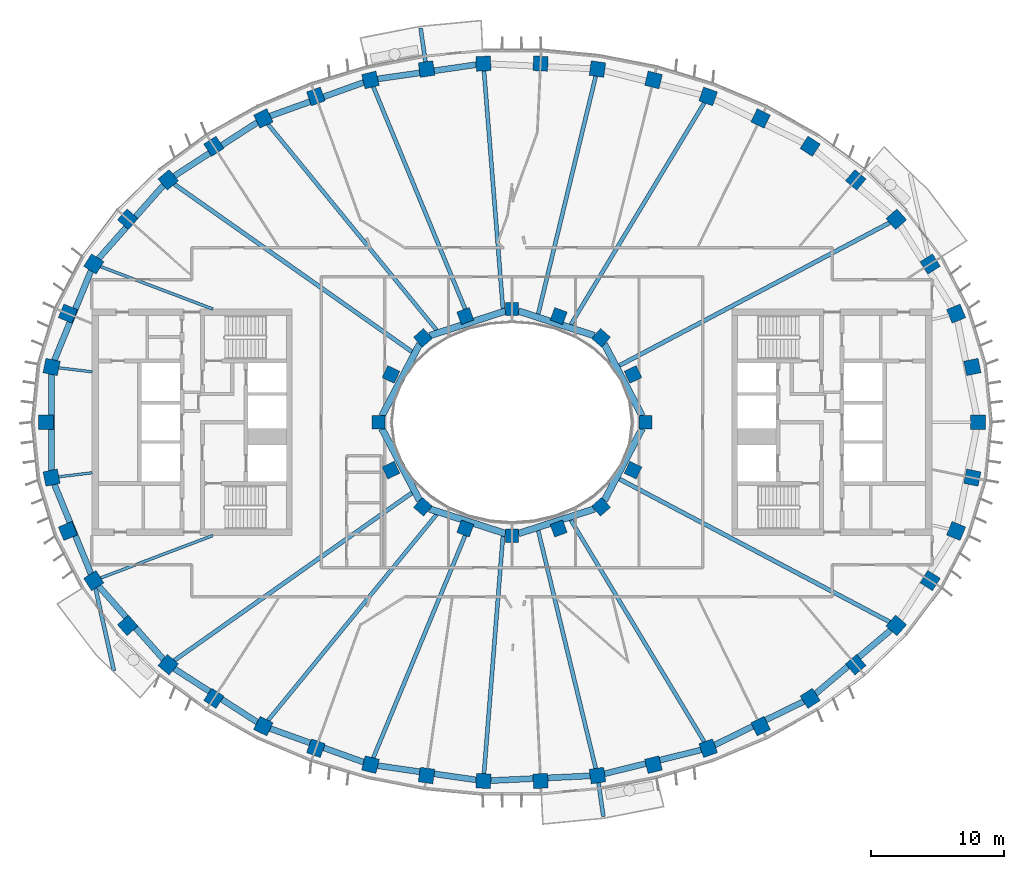
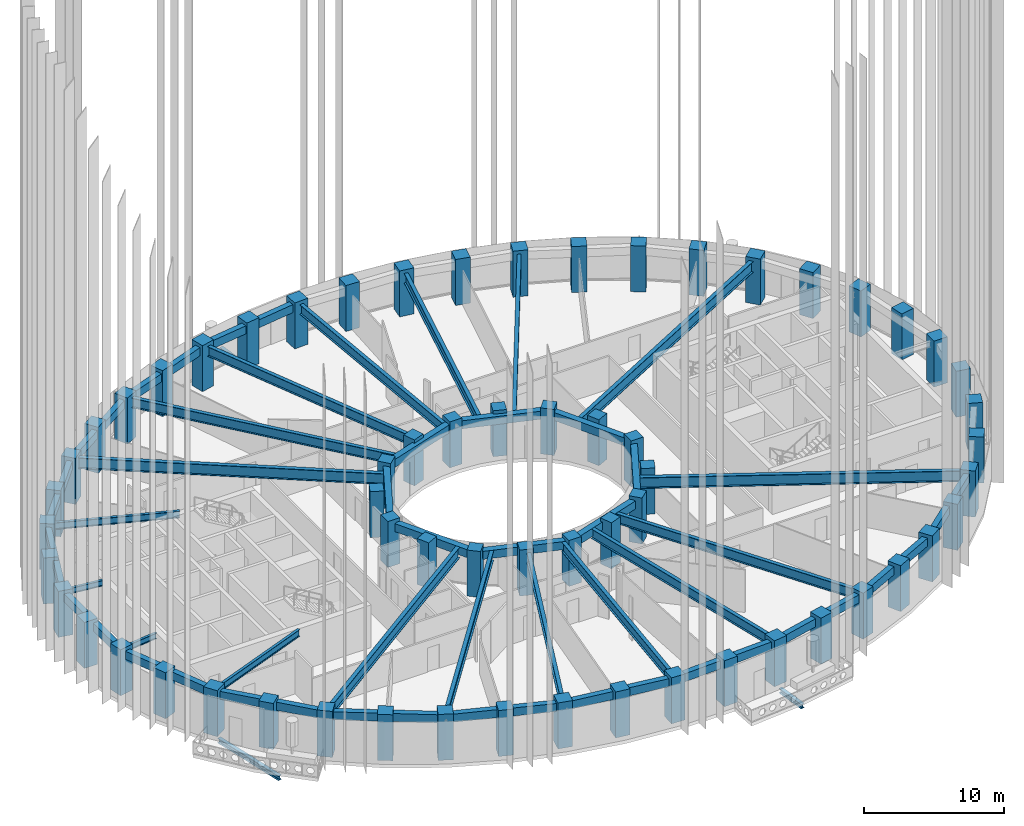
# One storey, part 1 of 19: 62 columns, 44 beams.
"""IFC4 building model written with IfcOpenShell, lengths in metres."""

from ifc_helpers import new_model, si_unit, direction, frame, origin, origin_2d, place, context, subcontext, project, spatial, rectangle, i_section, extrude, material, material_profile, profile_set, type_object, element, save


model = new_model("IFC4")

# Units and contexts
model_context = context("Model", 3, precision=1e-05, world=origin(), true_north=direction((0.0, 1.0)))
body_context = subcontext(model_context, "Body", "Model", "MODEL_VIEW")
ifc_project = project(units=[si_unit("LENGTHUNIT", "METRE"), si_unit("AREAUNIT", "SQUARE_METRE"), si_unit("VOLUMEUNIT", "CUBIC_METRE"), si_unit("PLANEANGLEUNIT", "RADIAN"), si_unit("MASSUNIT", "GRAM", prefix="KILO")], contexts=[model_context])

# Site, building, storey
site_placement = place(None, origin())
site = spatial("IfcSite", under=ifc_project, at=site_placement, CompositionType="ELEMENT")
building_placement = place(site_placement, origin())
building = spatial("IfcBuilding", under=site, at=building_placement, Name="Noorbagh Ring Tower", CompositionType="ELEMENT")
storey_placement = place(building_placement, frame((0.0, 0.0, 233.5)))
storey = spatial("IfcBuildingStorey", under=building, at=storey_placement, Name="L48", CompositionType="ELEMENT", Elevation=233.5)

# Columns
ifc_material_1 = material(Name="Concrete C60/75", Category="concrete")
ifc_material_profile_1 = material_profile(ifc_material_1, rectangle(XDim=1.10009765625, YDim=1.10009765625, at=origin_2d()), Name="RC1100x1100")
ifc_profile_set_1 = profile_set([ifc_material_profile_1], Name="Concrete C60/75")
column_type_1 = type_object("IfcColumnType", Name="STR-COL-RC1100x1100-C60-75", PredefinedType="COLUMN", material=ifc_profile_set_1)
for number, where, z_axis, x_axis, name in (
    (1, (34.944580078125, 0.0, 0.0), (0.0, 0.0, 1.0), (0.0, 1.0, 0.0), "L48/col/R1-01"),
    (2, (34.52685546875, 4.150634765625, 0.0), (0.0, 0.0, 1.0), (-0.19723040178, 0.9803571638, 0.0), "L48/col/R1-02"),
    (3, (33.30517578125, 8.1494140625, 0.0), (0.0, 0.0, 1.0), (-0.378989499959, 0.925400971969, 0.0), "L48/col/R1-03"),
    (4, (31.364990234375, 11.87109375, 0.0), (0.0, 0.0, 1.0), (-0.535190403059, 0.844731455833, 0.0), "L48/col/R1-04"),
    (5, (28.81884765625, 15.23046875, 0.0), (0.0, 0.0, 1.0), (-0.662635642662, 0.748941923699, 0.0), "L48/col/R1-05"),
    (6, (25.78271484375, 18.180419921875, 0.0), (0.0, 0.0, 1.0), (-0.763035199656, 0.646356932419, 0.0), "L48/col/R1-06"),
    (7, (22.362060546875, 20.699951171875, 0.0), (0.0, 0.0, 1.0), (-0.840247639643, 0.542202825586, 0.0), "L48/col/R1-07"),
    (8, (18.646240234375, 22.785400390625, 0.0), (0.0, 0.0, 1.0), (-0.898399080868, 0.439180021741, 0.0), "L48/col/R1-08"),
    (9, (14.70947265625, 24.44091796875, 0.0), (0.0, 0.0, 1.0), (-0.941024726094, 0.338337797003, 0.0), "L48/col/R1-09"),
    (10, (10.61328125, 25.673583984375, 0.0), (0.0, 0.0, 1.0), (-0.970829360981, 0.239771457553, 0.0), "L48/col/R1-10"),
    (11, (6.4091796875, 26.49072265625, 0.0), (0.0, 0.0, 1.0), (-0.989713114048, 0.143066249975, 0.0), "L48/col/R1-11"),
    (12, (2.14306640625, 26.89794921875, 0.0), (0.0, 0.0, 1.0), (-0.998868731212, 0.047552684538, 0.0), "L48/col/R1-12"),
    (13, (-2.14306640625, 26.89794921875, 0.0), (0.0, 0.0, 1.0), (-0.998868731212, -0.047552684538, 0.0), "L48/col/R1-13"),
    (14, (-6.4091796875, 26.49072265625, 0.0), (0.0, 0.0, 1.0), (-0.989713114048, -0.143066249975, 0.0), "L48/col/R1-14"),
    (15, (-10.61328125, 25.673583984375, 0.0), (0.0, 0.0, 1.0), (-0.970829360981, -0.239771457553, 0.0), "L48/col/R1-15"),
    (16, (-14.70947265625, 24.44091796875, 0.0), (0.0, 0.0, 1.0), (-0.941024726094, -0.338337797003, 0.0), "L48/col/R1-16"),
    (17, (-18.646240234375, 22.785400390625, 0.0), (0.0, 0.0, 1.0), (-0.898399080868, -0.439180021741, 0.0), "L48/col/R1-17"),
    (18, (-22.362060546875, 20.699951171875, 0.0), (0.0, 0.0, 1.0), (-0.840247639643, -0.542202825586, 0.0), "L48/col/R1-18"),
    (19, (-25.78271484375, 18.180419921875, 0.0), (0.0, 0.0, 1.0), (-0.763035199656, -0.646356932419, 0.0), "L48/col/R1-19"),
    (20, (-28.81884765625, 15.23046875, 0.0), (0.0, 0.0, 1.0), (-0.662635642662, -0.748941923699, 0.0), "L48/col/R1-20"),
    (21, (-31.364990234375, 11.87109375, 0.0), (0.0, 0.0, 1.0), (-0.535190403059, -0.844731455833, 0.0), "L48/col/R1-21"),
    (22, (-33.30517578125, 8.1494140625, 0.0), (0.0, 0.0, 1.0), (-0.378989499959, -0.925400971969, 0.0), "L48/col/R1-22"),
    (23, (-34.52685546875, 4.150634765625, 0.0), (0.0, 0.0, 1.0), (-0.19723040178, -0.9803571638, 0.0), "L48/col/R1-23"),
    (24, (-34.944580078125, 0.0, 0.0), (0.0, 0.0, 1.0), (0.0, -1.0, 0.0), "L48/col/R1-24"),
    (25, (-34.52685546875, -4.150634765625, 0.0), (0.0, 0.0, 1.0), (0.19723040178, -0.9803571638, 0.0), "L48/col/R1-25"),
    (26, (-33.30517578125, -8.1494140625, 0.0), (0.0, 0.0, 1.0), (0.378989499959, -0.925400971969, 0.0), "L48/col/R1-26"),
    (27, (-31.364990234375, -11.87109375, 0.0), (0.0, 0.0, 1.0), (0.535190403059, -0.844731455833, 0.0), "L48/col/R1-27"),
    (28, (-28.81884765625, -15.23046875, 0.0), (0.0, 0.0, 1.0), (0.662635642662, -0.748941923699, 0.0), "L48/col/R1-28"),
    (29, (-25.78271484375, -18.180419921875, 0.0), (0.0, 0.0, 1.0), (0.763035199656, -0.646356932419, 0.0), "L48/col/R1-29"),
    (30, (-22.362060546875, -20.699951171875, 0.0), (0.0, 0.0, 1.0), (0.840247639643, -0.542202825586, 0.0), "L48/col/R1-30"),
    (31, (-18.646240234375, -22.785400390625, 0.0), (0.0, 0.0, 1.0), (0.898399080868, -0.439180021741, 0.0), "L48/col/R1-31"),
    (32, (-14.70947265625, -24.44091796875, 0.0), (0.0, 0.0, 1.0), (0.941024726094, -0.338337797003, 0.0), "L48/col/R1-32"),
    (33, (-10.61328125, -25.673583984375, 0.0), (0.0, 0.0, 1.0), (0.970829360981, -0.239771457553, 0.0), "L48/col/R1-33"),
    (34, (-6.4091796875, -26.49072265625, 0.0), (0.0, 0.0, 1.0), (0.989713114048, -0.143066249975, 0.0), "L48/col/R1-34"),
    (35, (-2.14306640625, -26.89794921875, 0.0), (0.0, 0.0, 1.0), (0.998868731212, -0.047552684538, 0.0), "L48/col/R1-35"),
    (36, (2.14306640625, -26.89794921875, 0.0), (0.0, 0.0, 1.0), (0.998868731212, 0.047552684538, 0.0), "L48/col/R1-36"),
    (37, (6.4091796875, -26.49072265625, 0.0), (0.0, 0.0, 1.0), (0.989713114048, 0.143066249975, 0.0), "L48/col/R1-37"),
    (38, (10.61328125, -25.673583984375, 0.0), (0.0, 0.0, 1.0), (0.970829360981, 0.239771457553, 0.0), "L48/col/R1-38"),
    (39, (14.70947265625, -24.44091796875, 0.0), (0.0, 0.0, 1.0), (0.941024726094, 0.338337797003, 0.0), "L48/col/R1-39"),
    (40, (18.646240234375, -22.785400390625, 0.0), (0.0, 0.0, 1.0), (0.898399080868, 0.439180021741, 0.0), "L48/col/R1-40"),
    (41, (22.362060546875, -20.699951171875, 0.0), (0.0, 0.0, 1.0), (0.840247639643, 0.542202825586, 0.0), "L48/col/R1-41"),
    (42, (25.78271484375, -18.180419921875, 0.0), (0.0, 0.0, 1.0), (0.763035199656, 0.646356932419, 0.0), "L48/col/R1-42"),
    (43, (28.81884765625, -15.23046875, 0.0), (0.0, 0.0, 1.0), (0.662635642662, 0.748941923699, 0.0), "L48/col/R1-43"),
    (44, (31.364990234375, -11.87109375, 0.0), (0.0, 0.0, 1.0), (0.535190403059, 0.844731455833, 0.0), "L48/col/R1-44"),
    (45, (33.30517578125, -8.1494140625, 0.0), (0.0, 0.0, 1.0), (0.378989499959, 0.925400971969, 0.0), "L48/col/R1-45"),
    (46, (34.52685546875, -4.150634765625, 0.0), (0.0, 0.0, 1.0), (0.19723040178, 0.9803571638, 0.0), "L48/col/R1-46"),
):
    element("IfcColumn", number, at=place(storey_placement, frame(where, z_axis=z_axis, x_axis=x_axis)), inside=storey, type_object=column_type_1, Name=name, PredefinedType="COLUMN", context=body_context, shape_type="SweptSolid", body=[
        extrude(rectangle(XDim=1.10009765625, YDim=1.10009765625, at=origin_2d()), origin(), (0.0, 0.0, 1.0), 4.0),
    ])
ifc_material_2 = material(Name="Concrete C60/75", Category="concrete")
ifc_material_profile_2 = material_profile(ifc_material_2, rectangle(XDim=1.0, YDim=1.0, at=origin_2d()), Name="RC1000x1000")
ifc_profile_set_2 = profile_set([ifc_material_profile_2], Name="Concrete C60/75")
column_type_2 = type_object("IfcColumnType", Name="STR-ICOL-RC1000x1000-C60-75", PredefinedType="COLUMN", material=ifc_profile_set_2)
for number, where, z_axis, x_axis, name in (
    (47, (10.00830078125, 0.0, 0.0), (0.0, 0.0, 1.0), (0.0, 1.0, 0.0), "L48/col/IR2-W01"),
    (48, (9.07568359375, 3.58837890625, 0.0), (0.0, 0.0, 1.0), (-0.428666979171, 0.903462573087, 0.0), "L48/col/IR2-W03"),
    (49, (6.68212890625, 6.333740234375, 0.0), (0.0, 0.0, 1.0), (-0.75102249095, 0.660276622399, 0.0), "L48/col/IR2-W05"),
    (50, (3.5009765625, 7.967041015625, 0.0), (0.0, 0.0, 1.0), (-0.939019578916, 0.343863679984, 0.0), "L48/col/IR2-W07"),
    (51, (0.0, 8.5029296875, 0.0), (0.0, 0.0, 1.0), (-1.0, 0.0, 0.0), "L48/col/IR2-W09"),
    (52, (-3.5009765625, 7.967041015625, 0.0), (0.0, 0.0, 1.0), (-0.939019578916, -0.343863679984, 0.0), "L48/col/IR2-W11"),
    (53, (-6.68212890625, 6.333740234375, 0.0), (0.0, 0.0, 1.0), (-0.75102249095, -0.660276622399, 0.0), "L48/col/IR2-W13"),
    (54, (-9.07568359375, 3.58837890625, 0.0), (0.0, 0.0, 1.0), (-0.428666979171, -0.903462573087, 0.0), "L48/col/IR2-W15"),
    (55, (-10.00830078125, 0.0, 0.0), (0.0, 0.0, 1.0), (0.0, -1.0, 0.0), "L48/col/IR2-W17"),
    (56, (-9.07568359375, -3.58837890625, 0.0), (0.0, 0.0, 1.0), (0.428666979171, -0.903462573087, 0.0), "L48/col/IR2-W19"),
    (57, (-6.68212890625, -6.333740234375, 0.0), (0.0, 0.0, 1.0), (0.75102249095, -0.660276622399, 0.0), "L48/col/IR2-W21"),
    (58, (-3.5009765625, -7.967041015625, 0.0), (0.0, 0.0, 1.0), (0.939019578916, -0.343863679984, 0.0), "L48/col/IR2-W23"),
    (59, (0.0, -8.5029296875, 0.0), (0.0, 0.0, 1.0), (1.0, 0.0, 0.0), "L48/col/IR2-W25"),
    (60, (3.5009765625, -7.967041015625, 0.0), (0.0, 0.0, 1.0), (0.939019578916, 0.343863679984, 0.0), "L48/col/IR2-W27"),
    (61, (6.68212890625, -6.333740234375, 0.0), (0.0, 0.0, 1.0), (0.75102249095, 0.660276622399, 0.0), "L48/col/IR2-W29"),
    (62, (9.07568359375, -3.58837890625, 0.0), (0.0, 0.0, 1.0), (0.428666979171, 0.903462573087, 0.0), "L48/col/IR2-W31"),
):
    element("IfcColumn", number, at=place(storey_placement, frame(where, z_axis=z_axis, x_axis=x_axis)), inside=storey, type_object=column_type_2, Name=name, PredefinedType="COLUMN", context=body_context, shape_type="SweptSolid", body=[
        extrude(rectangle(XDim=1.0, YDim=1.0, at=origin_2d()), origin(), (0.0, 0.0, 1.0), 4.0),
    ])

# Beams
ifc_material_3 = material(Name="Steel S355", Category="steel")
ifc_material_profile_3 = material_profile(ifc_material_3, i_section(OverallWidth=0.300048828125, OverallDepth=0.39990234375, WebThickness=0.013427734375, FlangeThickness=0.02392578125, FilletRadius=0.027099609375, at=origin_2d()), Name="HEB400")
ifc_profile_set_3 = profile_set([ifc_material_profile_3], Name="Steel S355")
beam_type_1 = type_object("IfcBeamType", Name="STR-BALCONY-BRACKET-HEB400", PredefinedType="BEAM", material=ifc_profile_set_3)
beam_1_placement = place(storey_placement, frame((-6.485107421875, 27.015380859375, -0.5), z_axis=(-0.143041289678, 0.989716721819, 0.0), x_axis=(-0.989716721819, -0.143041289678, 0.0)))
element("IfcBeam", 63, at=beam_1_placement, inside=storey, type_object=beam_type_1, Name="Balcony bracket beam BN04", PredefinedType="BEAM", context=body_context, shape_type="SweptSolid", body=[
    extrude(i_section(OverallWidth=0.300048828125, OverallDepth=0.39990234375, WebThickness=0.013427734375, FlangeThickness=0.02392578125, FilletRadius=0.027099609375, at=origin_2d()), origin(), (0.0, 0.0, 1.0), 2.57373046875),
])
beam_2_placement = place(storey_placement, frame((-31.24951171875, -12.38818359375, -0.5), z_axis=(0.217922696307, -0.975966033443, 0.0), x_axis=(0.975966033443, 0.217922696307, 0.0)))
element("IfcBeam", 64, at=beam_2_placement, inside=storey, type_object=beam_type_1, Name="Balcony bracket beam BS01", PredefinedType="BEAM", context=body_context, shape_type="SweptSolid", body=[
    extrude(i_section(OverallWidth=0.300048828125, OverallDepth=0.39990234375, WebThickness=0.013427734375, FlangeThickness=0.02392578125, FilletRadius=0.027099609375, at=origin_2d()), origin(), (0.0, 0.0, 1.0), 6.408203125),
])
beam_3_placement = place(storey_placement, frame((6.485107421875, -27.015380859375, -0.5), z_axis=(0.143041289678, -0.989716721819, 0.0), x_axis=(0.989716721819, 0.143041289678, 0.0)))
element("IfcBeam", 65, at=beam_3_placement, inside=storey, type_object=beam_type_1, Name="Balcony bracket beam BS04", PredefinedType="BEAM", context=body_context, shape_type="SweptSolid", body=[
    extrude(i_section(OverallWidth=0.300048828125, OverallDepth=0.39990234375, WebThickness=0.013427734375, FlangeThickness=0.02392578125, FilletRadius=0.027099609375, at=origin_2d()), origin(), (0.0, 0.0, 1.0), 2.57373046875),
])
ifc_material_4 = material(Name="Steel S355", Category="steel")
ifc_material_profile_4 = material_profile(ifc_material_4, i_section(OverallWidth=0.199951171875, OverallDepth=0.5, WebThickness=0.01025390625, FlangeThickness=0.01611328125, FilletRadius=0.02099609375, at=origin_2d()), Name="IPE500")
ifc_profile_set_4 = profile_set([ifc_material_profile_4], Name="Steel S355")
beam_type_2 = type_object("IfcBeamType", Name="STR-RAD-IPE500", PredefinedType="BEAM", material=ifc_profile_set_4)
for number, where, z_axis, x_axis, name in (
    (66, (-33.998779296875, 4.087158203125, 3.449951171875), (0.992853137385, -0.119342564013, 0.0), (0.119342564013, 0.992853137385, 0.0), "L48/bm/RD23"),
    (67, (-33.998779296875, -4.087158203125, 3.449951171875), (0.992853137385, 0.119342564013, 0.0), (-0.119342564013, 0.992853137385, 0.0), "L48/bm/RD25"),
):
    element("IfcBeam", number, at=place(storey_placement, frame(where, z_axis=z_axis, x_axis=x_axis)), inside=storey, type_object=beam_type_2, Name=name, PredefinedType="BEAM", context=body_context, shape_type="SweptSolid", body=[
        extrude(i_section(OverallWidth=0.199951171875, OverallDepth=0.5, WebThickness=0.01025390625, FlangeThickness=0.01611328125, FilletRadius=0.02099609375, at=origin_2d()), origin(), (0.0, 0.0, 1.0), 2.53662109375),
    ])
ifc_material_5 = material(Name="Steel S355", Category="steel")
ifc_material_profile_5 = material_profile(ifc_material_5, i_section(OverallWidth=0.219970703125, OverallDepth=0.60009765625, WebThickness=0.011962890625, FlangeThickness=0.01904296875, FilletRadius=0.02392578125, at=origin_2d()), Name="IPE600")
ifc_profile_set_5 = profile_set([ifc_material_profile_5], Name="Steel S355")
beam_type_3 = type_object("IfcBeamType", Name="STR-RAD-IPE600", PredefinedType="BEAM", material=ifc_profile_set_5)
for number, where, z_axis, x_axis, name in (
    (68, (-30.858642578125, 11.67919921875, 3.39990234375), (0.935259323835, -0.353963270948, 0.0), (0.353963270948, 0.935259323835, 0.0), "L48/bm/RD21"),
    (69, (-30.858642578125, -11.67919921875, 3.39990234375), (0.935259323835, 0.353963270948, 0.0), (-0.353963270948, 0.935259323835, 0.0), "L48/bm/RD27"),
):
    element("IfcBeam", number, at=place(storey_placement, frame(where, z_axis=z_axis, x_axis=x_axis)), inside=storey, type_object=beam_type_3, Name=name, PredefinedType="BEAM", context=body_context, shape_type="SweptSolid", body=[
        extrude(i_section(OverallWidth=0.219970703125, OverallDepth=0.60009765625, WebThickness=0.011962890625, FlangeThickness=0.01904296875, FilletRadius=0.02392578125, at=origin_2d()), origin(), (0.0, 0.0, 1.0), 9.001708984375),
    ])
ifc_material_6 = material(Name="Steel S355", Category="steel")
ifc_material_profile_6 = material_profile(ifc_material_6, i_section(OverallWidth=0.300048828125, OverallDepth=0.85009765625, WebThickness=0.013916015625, FlangeThickness=0.028076171875, at=origin_2d()), Name="PG850x300x14x28")
ifc_profile_set_6 = profile_set([ifc_material_profile_6], Name="Steel S355")
beam_type_4 = type_object("IfcBeamType", Name="STR-RAD-PG850x300x14x28", PredefinedType="BEAM", material=ifc_profile_set_6)
beam_4_placement = place(storey_placement, frame((14.4306640625, 23.9775390625, 3.27490234375), z_axis=(-0.515652889643, -0.856797582514, 0.0), x_axis=(0.856797582514, -0.515652889643, 0.0)))
element("IfcBeam", 70, at=beam_4_placement, inside=storey, type_object=beam_type_4, Name="L48/bm/RD09", PredefinedType="BEAM", context=body_context, shape_type="SweptSolid", body=[
    extrude(i_section(OverallWidth=0.300048828125, OverallDepth=0.85009765625, WebThickness=0.013916015625, FlangeThickness=0.028076171875, at=origin_2d()), origin(), (0.0, 0.0, 1.0), 19.4462890625),
])
beam_5_placement = place(storey_placement, frame((6.283935546875, 25.973388671875, 3.27490234375), z_axis=(-0.235149899609, -0.971959116791, 0.0), x_axis=(0.971959116791, -0.235149899609, 0.0)))
element("IfcBeam", 71, at=beam_5_placement, inside=storey, type_object=beam_type_4, Name="L48/bm/RD11", PredefinedType="BEAM", context=body_context, shape_type="SweptSolid", body=[
    extrude(i_section(OverallWidth=0.300048828125, OverallDepth=0.85009765625, WebThickness=0.013916015625, FlangeThickness=0.028076171875, at=origin_2d()), origin(), (0.0, 0.0, 1.0), 18.380859375),
])
beam_6_placement = place(storey_placement, frame((-2.10107421875, 26.369384765625, 3.27490234375), z_axis=(0.079428656786, -0.996840553189, 0.0), x_axis=(0.996840553189, 0.079428656786, 0.0)))
element("IfcBeam", 72, at=beam_6_placement, inside=storey, type_object=beam_type_4, Name="L48/bm/RD13", PredefinedType="BEAM", context=body_context, shape_type="SweptSolid", body=[
    extrude(i_section(OverallWidth=0.300048828125, OverallDepth=0.85009765625, WebThickness=0.013916015625, FlangeThickness=0.028076171875, at=origin_2d()), origin(), (0.0, 0.0, 1.0), 17.9013671875),
])
beam_7_placement = place(storey_placement, frame((-10.408447265625, 25.177978515625, 3.27490234375), z_axis=(0.382042222752, -0.924144869614, 0.0), x_axis=(0.924144869614, 0.382042222752, 0.0)))
element("IfcBeam", 73, at=beam_7_placement, inside=storey, type_object=beam_type_4, Name="L48/bm/RD15", PredefinedType="BEAM", context=body_context, shape_type="SweptSolid", body=[
    extrude(i_section(OverallWidth=0.300048828125, OverallDepth=0.85009765625, WebThickness=0.013916015625, FlangeThickness=0.028076171875, at=origin_2d()), origin(), (0.0, 0.0, 1.0), 18.901611328125),
])
for number, where, z_axis, x_axis, name in (
    (74, (-18.301025390625, 22.363525390625, 3.27490234375), (0.633313689008, -0.773895194012, 0.0), (0.773895194012, 0.633313689008, 0.0), "L48/bm/RD17"),
    (75, (-18.301025390625, -22.363525390625, 3.27490234375), (0.633313689008, 0.773895194012, 0.0), (-0.773895194012, 0.633313689008, 0.0), "L48/bm/RD31"),
):
    element("IfcBeam", number, at=place(storey_placement, frame(where, z_axis=z_axis, x_axis=x_axis)), inside=storey, type_object=beam_type_4, Name=name, PredefinedType="BEAM", context=body_context, shape_type="SweptSolid", body=[
        extrude(i_section(OverallWidth=0.300048828125, OverallDepth=0.85009765625, WebThickness=0.013916015625, FlangeThickness=0.028076171875, at=origin_2d()), origin(), (0.0, 0.0, 1.0), 19.968017578125),
    ])
beam_8_placement = place(storey_placement, frame((-10.408447265625, -25.177978515625, 3.27490234375), z_axis=(0.382042222752, 0.924144869614, 0.0), x_axis=(-0.924144869614, 0.382042222752, 0.0)))
element("IfcBeam", 76, at=beam_8_placement, inside=storey, type_object=beam_type_4, Name="L48/bm/RD33", PredefinedType="BEAM", context=body_context, shape_type="SweptSolid", body=[
    extrude(i_section(OverallWidth=0.300048828125, OverallDepth=0.85009765625, WebThickness=0.013916015625, FlangeThickness=0.028076171875, at=origin_2d()), origin(), (0.0, 0.0, 1.0), 18.901611328125),
])
beam_9_placement = place(storey_placement, frame((-2.10107421875, -26.369384765625, 3.27490234375), z_axis=(0.079428656786, 0.996840553189, 0.0), x_axis=(-0.996840553189, 0.079428656786, 0.0)))
element("IfcBeam", 77, at=beam_9_placement, inside=storey, type_object=beam_type_4, Name="L48/bm/RD35", PredefinedType="BEAM", context=body_context, shape_type="SweptSolid", body=[
    extrude(i_section(OverallWidth=0.300048828125, OverallDepth=0.85009765625, WebThickness=0.013916015625, FlangeThickness=0.028076171875, at=origin_2d()), origin(), (0.0, 0.0, 1.0), 17.9013671875),
])
beam_10_placement = place(storey_placement, frame((6.283935546875, -25.973388671875, 3.27490234375), z_axis=(-0.235149899609, 0.971959116791, 0.0), x_axis=(-0.971959116791, -0.235149899609, 0.0)))
element("IfcBeam", 78, at=beam_10_placement, inside=storey, type_object=beam_type_4, Name="L48/bm/RD37", PredefinedType="BEAM", context=body_context, shape_type="SweptSolid", body=[
    extrude(i_section(OverallWidth=0.300048828125, OverallDepth=0.85009765625, WebThickness=0.013916015625, FlangeThickness=0.028076171875, at=origin_2d()), origin(), (0.0, 0.0, 1.0), 18.380859375),
])
beam_11_placement = place(storey_placement, frame((14.4306640625, -23.9775390625, 3.27490234375), z_axis=(-0.515652889643, 0.856797582514, 0.0), x_axis=(-0.856797582514, -0.515652889643, 0.0)))
element("IfcBeam", 79, at=beam_11_placement, inside=storey, type_object=beam_type_4, Name="L48/bm/RD39", PredefinedType="BEAM", context=body_context, shape_type="SweptSolid", body=[
    extrude(i_section(OverallWidth=0.300048828125, OverallDepth=0.85009765625, WebThickness=0.013916015625, FlangeThickness=0.028076171875, at=origin_2d()), origin(), (0.0, 0.0, 1.0), 19.4462890625),
])
ifc_material_7 = material(Name="Steel S355", Category="steel")
ifc_material_profile_7 = material_profile(ifc_material_7, i_section(OverallWidth=0.320068359375, OverallDepth=0.949951171875, WebThickness=0.01611328125, FlangeThickness=0.030029296875, at=origin_2d()), Name="PG950x320x16x30")
ifc_profile_set_7 = profile_set([ifc_material_profile_7], Name="Steel S355")
beam_type_5 = type_object("IfcBeamType", Name="STR-RAD-PG950x320x16x30", PredefinedType="BEAM", material=ifc_profile_set_7)
beam_12_placement = place(storey_placement, frame((28.336181640625, 14.975341796875, 3.22509765625), z_axis=(-0.884128075717, -0.467244631567, 0.0), x_axis=(0.467244631567, -0.884128075717, 0.0)))
element("IfcBeam", 80, at=beam_12_placement, inside=storey, type_object=beam_type_5, Name="L48/bm/RD05", PredefinedType="BEAM", context=body_context, shape_type="SweptSolid", body=[
    extrude(i_section(OverallWidth=0.320068359375, OverallDepth=0.949951171875, WebThickness=0.01611328125, FlangeThickness=0.030029296875, at=origin_2d()), origin(), (0.0, 0.0, 1.0), 22.959228515625),
])
for number, where, z_axis, x_axis, name in (
    (81, (-25.334716796875, 17.864501953125, 3.22509765625), (0.81725475763, -0.576276549176, 0.0), (0.576276549176, 0.81725475763, 0.0), "L48/bm/RD19"),
    (82, (-25.334716796875, -17.864501953125, 3.22509765625), (0.81725475763, 0.576276549176, 0.0), (-0.576276549176, 0.81725475763, 0.0), "L48/bm/RD29"),
):
    element("IfcBeam", number, at=place(storey_placement, frame(where, z_axis=z_axis, x_axis=x_axis)), inside=storey, type_object=beam_type_5, Name=name, PredefinedType="BEAM", context=body_context, shape_type="SweptSolid", body=[
        extrude(i_section(OverallWidth=0.320068359375, OverallDepth=0.949951171875, WebThickness=0.01611328125, FlangeThickness=0.030029296875, at=origin_2d()), origin(), (0.0, 0.0, 1.0), 21.830810546875),
    ])
beam_13_placement = place(storey_placement, frame((28.336181640625, -14.975341796875, 3.22509765625), z_axis=(-0.884128075717, 0.467244631567, 0.0), x_axis=(-0.467244631567, -0.884128075717, 0.0)))
element("IfcBeam", 83, at=beam_13_placement, inside=storey, type_object=beam_type_5, Name="L48/bm/RD43", PredefinedType="BEAM", context=body_context, shape_type="SweptSolid", body=[
    extrude(i_section(OverallWidth=0.320068359375, OverallDepth=0.949951171875, WebThickness=0.01611328125, FlangeThickness=0.030029296875, at=origin_2d()), origin(), (0.0, 0.0, 1.0), 22.959228515625),
])
ifc_material_8 = material(Name="Concrete C40/50", Category="concrete")
ifc_material_profile_8 = material_profile(ifc_material_8, rectangle(XDim=0.5, YDim=0.699951171875, at=origin_2d()), Name="RC500x700")
ifc_profile_set_8 = profile_set([ifc_material_profile_8], Name="Concrete C40/50")
beam_type_6 = type_object("IfcBeamType", Name="STR-RB-RC500x700-C40-50", PredefinedType="BEAM", material=ifc_profile_set_8)
beam_14_placement = place(storey_placement, frame((9.755126953125, 0.482177734375, 3.35009765625), z_axis=(-0.464928900722, 0.885348020427, 0.0), x_axis=(-0.885348020427, -0.464928900722, 0.0)))
element("IfcBeam", 84, at=beam_14_placement, inside=storey, type_object=beam_type_6, Name="L48/bm/RG01", PredefinedType="BEAM", context=body_context, shape_type="SweptSolid", body=[
    extrude(rectangle(XDim=0.5, YDim=0.699951171875, at=origin_2d()), origin(), (0.0, 0.0, 1.0), 6.093994140625),
])
for number, where, z_axis, x_axis, name in (
    (85, (6.183349609375, 6.495849609375, 3.35009765625), (-0.951154000484, 0.30871680771, 0.0), (-0.30871680771, -0.951154000484, 0.0), "L48/bm/RG03"),
    (86, (-0.48095703125, 8.3466796875, 3.35009765625), (-0.951154000484, -0.30871680771, 0.0), (0.30871680771, -0.951154000484, 0.0), "L48/bm/RG05"),
):
    element("IfcBeam", number, at=place(storey_placement, frame(where, z_axis=z_axis, x_axis=x_axis)), inside=storey, type_object=beam_type_6, Name=name, PredefinedType="BEAM", context=body_context, shape_type="SweptSolid", body=[
        extrude(rectangle(XDim=0.5, YDim=0.699951171875, at=origin_2d()), origin(), (0.0, 0.0, 1.0), 5.9951171875),
    ])
for number, where, z_axis, x_axis, name in (
    (87, (-6.921875, 5.87744140625, 3.35009765625), (-0.464928900722, -0.885348020427, 0.0), (0.885348020427, -0.464928900722, 0.0), "L48/bm/RG07"),
    (88, (-9.755126953125, -0.482177734375, 3.35009765625), (0.464928900722, -0.885348020427, 0.0), (0.885348020427, 0.464928900722, 0.0), "L48/bm/RG09"),
):
    element("IfcBeam", number, at=place(storey_placement, frame(where, z_axis=z_axis, x_axis=x_axis)), inside=storey, type_object=beam_type_6, Name=name, PredefinedType="BEAM", context=body_context, shape_type="SweptSolid", body=[
        extrude(rectangle(XDim=0.5, YDim=0.699951171875, at=origin_2d()), origin(), (0.0, 0.0, 1.0), 6.093994140625),
    ])
for number, where, z_axis, x_axis, name in (
    (89, (-6.183349609375, -6.495849609375, 3.35009765625), (0.951154000484, -0.30871680771, 0.0), (0.30871680771, 0.951154000484, 0.0), "L48/bm/RG11"),
    (90, (0.48095703125, -8.3466796875, 3.35009765625), (0.951154000484, 0.30871680771, 0.0), (-0.30871680771, 0.951154000484, 0.0), "L48/bm/RG13"),
):
    element("IfcBeam", number, at=place(storey_placement, frame(where, z_axis=z_axis, x_axis=x_axis)), inside=storey, type_object=beam_type_6, Name=name, PredefinedType="BEAM", context=body_context, shape_type="SweptSolid", body=[
        extrude(rectangle(XDim=0.5, YDim=0.699951171875, at=origin_2d()), origin(), (0.0, 0.0, 1.0), 5.9951171875),
    ])
beam_15_placement = place(storey_placement, frame((6.921875, -5.87744140625, 3.35009765625), z_axis=(0.464928900722, 0.885348020427, 0.0), x_axis=(-0.885348020427, 0.464928900722, 0.0)))
element("IfcBeam", 91, at=beam_15_placement, inside=storey, type_object=beam_type_6, Name="L48/bm/RG15", PredefinedType="BEAM", context=body_context, shape_type="SweptSolid", body=[
    extrude(rectangle(XDim=0.5, YDim=0.699951171875, at=origin_2d()), origin(), (0.0, 0.0, 1.0), 6.093994140625),
])
ifc_material_9 = material(Name="Concrete C40/50", Category="concrete")
ifc_material_profile_9 = material_profile(ifc_material_9, rectangle(XDim=0.449951171875, YDim=0.699951171875, at=origin_2d()), Name="RC450x700")
ifc_profile_set_9 = profile_set([ifc_material_profile_9], Name="Concrete C40/50")
beam_type_7 = type_object("IfcBeamType", Name="STR-SB-RC450x700-C40-50", PredefinedType="BEAM", material=ifc_profile_set_9)
beam_16_placement = place(storey_placement, frame((-2.670166015625, 26.82177734375, 3.35009765625), z_axis=(-0.989712214626, -0.143072471915, 0.0), x_axis=(0.143072471915, -0.989712214626, 0.0)))
element("IfcBeam", 92, at=beam_16_placement, inside=storey, type_object=beam_type_7, Name="L48/bm/SP13", PredefinedType="BEAM", context=body_context, shape_type="SweptSolid", body=[
    extrude(rectangle(XDim=0.449951171875, YDim=0.699951171875, at=origin_2d()), origin(), (0.0, 0.0, 1.0), 7.492919921875),
])
beam_17_placement = place(storey_placement, frame((-11.11474609375, 25.493408203125, 3.35009765625), z_axis=(-0.941021072028, -0.338347959947, 0.0), x_axis=(0.338347959947, -0.941021072028, 0.0)))
element("IfcBeam", 93, at=beam_17_placement, inside=storey, type_object=beam_type_7, Name="L48/bm/SP15", PredefinedType="BEAM", context=body_context, shape_type="SweptSolid", body=[
    extrude(rectangle(XDim=0.449951171875, YDim=0.699951171875, at=origin_2d()), origin(), (0.0, 0.0, 1.0), 7.470458984375),
])
beam_18_placement = place(storey_placement, frame((-19.094970703125, 22.495849609375, 3.35009765625), z_axis=(-0.840248806946, -0.542201016622, 0.0), x_axis=(0.542201016622, -0.840248806946, 0.0)))
element("IfcBeam", 94, at=beam_18_placement, inside=storey, type_object=beam_type_7, Name="L48/bm/SP17", PredefinedType="BEAM", context=body_context, shape_type="SweptSolid", body=[
    extrude(rectangle(XDim=0.449951171875, YDim=0.699951171875, at=origin_2d()), origin(), (0.0, 0.0, 1.0), 7.424560546875),
])
beam_19_placement = place(storey_placement, frame((-26.1376953125, 17.779052734375, 3.35009765625), z_axis=(-0.662632637862, -0.748944582222, 0.0), x_axis=(0.748944582222, -0.662632637862, 0.0)))
element("IfcBeam", 95, at=beam_19_placement, inside=storey, type_object=beam_type_7, Name="L48/bm/SP19", PredefinedType="BEAM", context=body_context, shape_type="SweptSolid", body=[
    extrude(rectangle(XDim=0.449951171875, YDim=0.699951171875, at=origin_2d()), origin(), (0.0, 0.0, 1.0), 7.3515625),
])
beam_20_placement = place(storey_placement, frame((-31.569091796875, 11.37255859375, 3.35009765625), z_axis=(-0.378980930271, -0.92540448156, 0.0), x_axis=(0.92540448156, -0.378980930271, 0.0)))
element("IfcBeam", 96, at=beam_20_placement, inside=storey, type_object=beam_type_7, Name="L48/bm/SP21", PredefinedType="BEAM", context=body_context, shape_type="SweptSolid", body=[
    extrude(rectangle(XDim=0.449951171875, YDim=0.699951171875, at=origin_2d()), origin(), (0.0, 0.0, 1.0), 7.263916015625),
])
beam_21_placement = place(storey_placement, frame((-34.52685546875, 3.609619140625, 3.35009765625), z_axis=(0.0, -1.0, 0.0), x_axis=(1.0, 0.0, 0.0)))
element("IfcBeam", 97, at=beam_21_placement, inside=storey, type_object=beam_type_7, Name="L48/bm/SP23", PredefinedType="BEAM", context=body_context, shape_type="SweptSolid", body=[
    extrude(rectangle(XDim=0.449951171875, YDim=0.699951171875, at=origin_2d()), origin(), (0.0, 0.0, 1.0), 7.21923828125),
])
beam_22_placement = place(storey_placement, frame((-34.322021484375, -4.650390625, 3.35009765625), z_axis=(0.378980930271, -0.92540448156, 0.0), x_axis=(0.92540448156, 0.378980930271, 0.0)))
element("IfcBeam", 98, at=beam_22_placement, inside=storey, type_object=beam_type_7, Name="L48/bm/SP25", PredefinedType="BEAM", context=body_context, shape_type="SweptSolid", body=[
    extrude(rectangle(XDim=0.449951171875, YDim=0.699951171875, at=origin_2d()), origin(), (0.0, 0.0, 1.0), 7.263916015625),
])
beam_23_placement = place(storey_placement, frame((-31.009033203125, -12.273193359375, 3.35009765625), z_axis=(0.662632637862, -0.748944582222, 0.0), x_axis=(0.748944582222, 0.662632637862, 0.0)))
element("IfcBeam", 99, at=beam_23_placement, inside=storey, type_object=beam_type_7, Name="L48/bm/SP27", PredefinedType="BEAM", context=body_context, shape_type="SweptSolid", body=[
    extrude(rectangle(XDim=0.449951171875, YDim=0.699951171875, at=origin_2d()), origin(), (0.0, 0.0, 1.0), 7.3515625),
])
beam_24_placement = place(storey_placement, frame((-25.33349609375, -18.47021484375, 3.35009765625), z_axis=(0.840248806946, -0.542201016622, 0.0), x_axis=(0.542201016622, 0.840248806946, 0.0)))
element("IfcBeam", 100, at=beam_24_placement, inside=storey, type_object=beam_type_7, Name="L48/bm/SP29", PredefinedType="BEAM", context=body_context, shape_type="SweptSolid", body=[
    extrude(rectangle(XDim=0.449951171875, YDim=0.699951171875, at=origin_2d()), origin(), (0.0, 0.0, 1.0), 7.424560546875),
])
beam_25_placement = place(storey_placement, frame((-18.14453125, -22.9658203125, 3.35009765625), z_axis=(0.941021072028, -0.338347959947, 0.0), x_axis=(0.338347959947, 0.941021072028, 0.0)))
element("IfcBeam", 101, at=beam_25_placement, inside=storey, type_object=beam_type_7, Name="L48/bm/SP31", PredefinedType="BEAM", context=body_context, shape_type="SweptSolid", body=[
    extrude(rectangle(XDim=0.449951171875, YDim=0.699951171875, at=origin_2d()), origin(), (0.0, 0.0, 1.0), 7.470458984375),
])
beam_26_placement = place(storey_placement, frame((-10.0859375, -25.749755859375, 3.35009765625), z_axis=(0.989712214626, -0.143072471915, 0.0), x_axis=(0.143072471915, 0.989712214626, 0.0)))
element("IfcBeam", 102, at=beam_26_placement, inside=storey, type_object=beam_type_7, Name="L48/bm/SP33", PredefinedType="BEAM", context=body_context, shape_type="SweptSolid", body=[
    extrude(rectangle(XDim=0.449951171875, YDim=0.699951171875, at=origin_2d()), origin(), (0.0, 0.0, 1.0), 7.492919921875),
])
beam_27_placement = place(storey_placement, frame((-1.611328125, -26.87255859375, 3.35009765625), z_axis=(0.998869095319, 0.047545035672, 0.0), x_axis=(-0.047545035672, 0.998869095319, 0.0)))
element("IfcBeam", 103, at=beam_27_placement, inside=storey, type_object=beam_type_7, Name="L48/bm/SP35", PredefinedType="BEAM", context=body_context, shape_type="SweptSolid", body=[
    extrude(rectangle(XDim=0.449951171875, YDim=0.699951171875, at=origin_2d()), origin(), (0.0, 0.0, 1.0), 7.4970703125),
])
beam_28_placement = place(storey_placement, frame((6.926513671875, -26.363037109375, 3.35009765625), z_axis=(0.970829382675, 0.239771369713, 0.0), x_axis=(-0.239771369713, 0.970829382675, 0.0)))
element("IfcBeam", 104, at=beam_28_placement, inside=storey, type_object=beam_type_7, Name="L48/bm/SP37", PredefinedType="BEAM", context=body_context, shape_type="SweptSolid", body=[
    extrude(rectangle(XDim=0.449951171875, YDim=0.699951171875, at=origin_2d()), origin(), (0.0, 0.0, 1.0), 7.48388671875),
])
beam_29_placement = place(storey_placement, frame((15.188720703125, -24.20654296875, 3.35009765625), z_axis=(0.898395566206, 0.43918721136, 0.0), x_axis=(-0.43918721136, 0.898395566206, 0.0)))
element("IfcBeam", 105, at=beam_29_placement, inside=storey, type_object=beam_type_7, Name="L48/bm/SP39", PredefinedType="BEAM", context=body_context, shape_type="SweptSolid", body=[
    extrude(rectangle(XDim=0.449951171875, YDim=0.699951171875, at=origin_2d()), origin(), (0.0, 0.0, 1.0), 7.45068359375),
])
beam_30_placement = place(storey_placement, frame((22.77001953125, -20.354248046875, 3.35009765625), z_axis=(0.763041647575, 0.646349320465, 0.0), x_axis=(-0.646349320465, 0.763041647575, 0.0)))
element("IfcBeam", 106, at=beam_30_placement, inside=storey, type_object=beam_type_7, Name="L48/bm/SP41", PredefinedType="BEAM", context=body_context, shape_type="SweptSolid", body=[
    extrude(rectangle(XDim=0.449951171875, YDim=0.699951171875, at=origin_2d()), origin(), (0.0, 0.0, 1.0), 7.3916015625),
])

save(model, "model.ifc")
